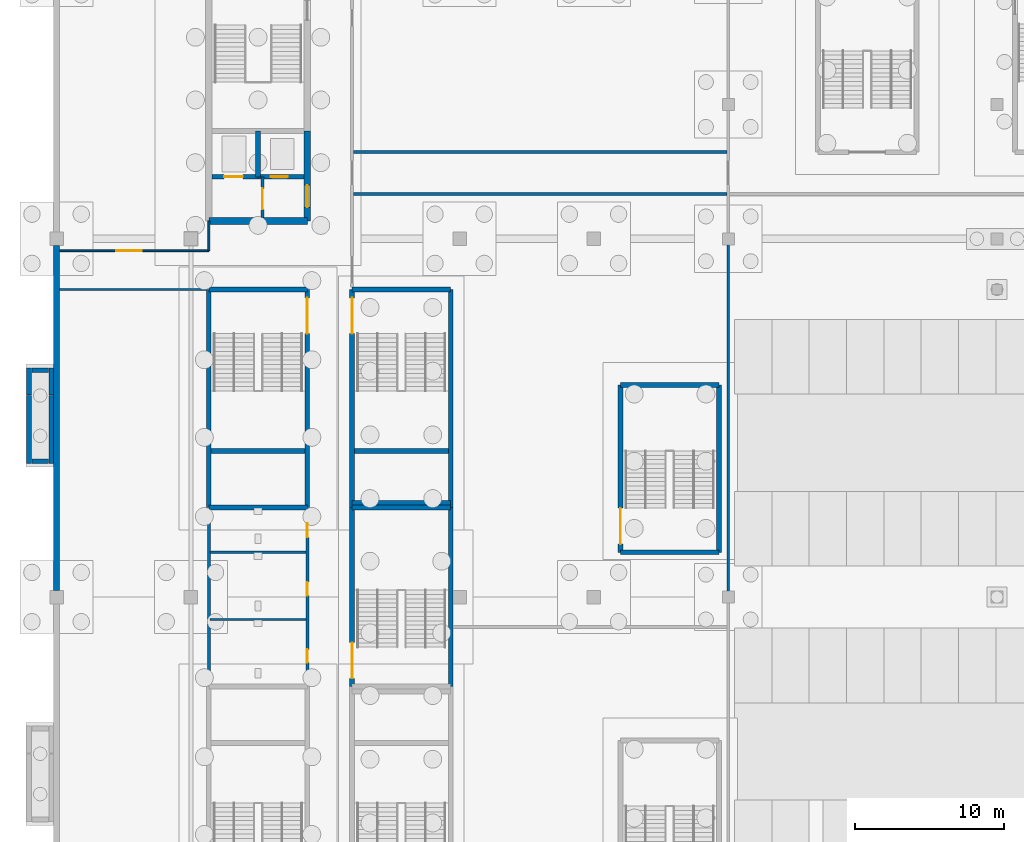
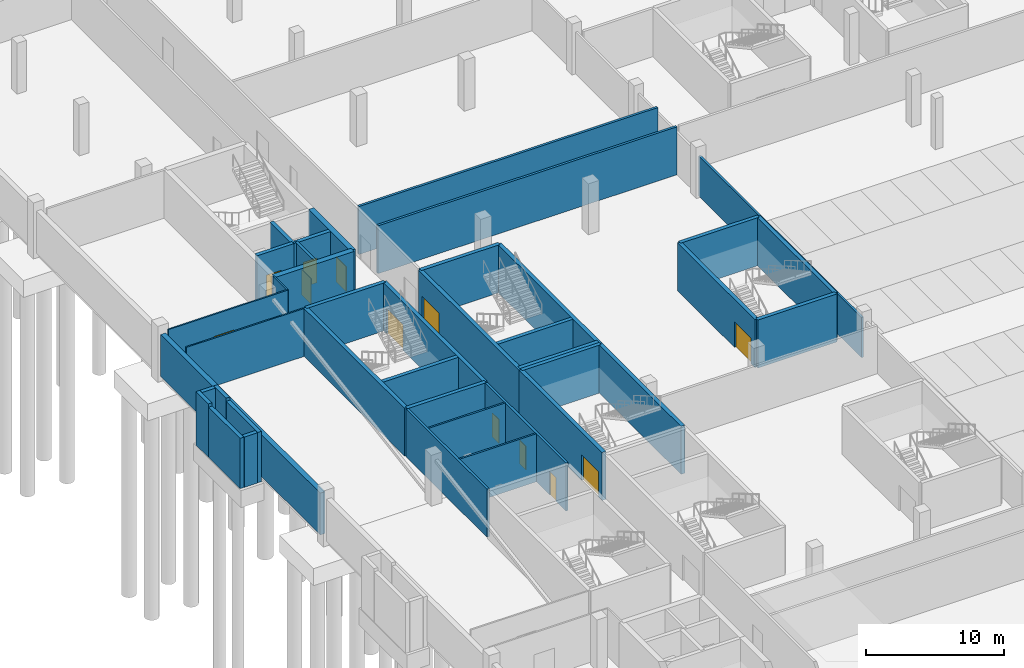
# One storey, part 17 of 46: 40 walls, 12 doors, 12 openings.
"""IFC4 building model written with IfcOpenShell, lengths in metres."""

import ifcopenshell
import ifcopenshell.guid

model = None  # the IFC model being written
_history = None  # IfcOwnerHistory: only IFC2X3 demands one
_inside = {}  # id of a spatial element -> (the spatial element, [elements in it])
_under = {}  # id of a project, library or spatial element -> (it, [spatial elements below it])
_declared = {}  # id of a project -> (the project, [libraries it declares])
_typed = {}  # id of a type object -> (the type object, [elements of that type])
_made_of = {}  # id of a material, layer set ... -> (it, [elements and type objects made of it])


def new_model(schema):
    """Start an empty IFC model of exactly this schema.

    Asked for "IFC4X3", IfcOpenShell would pick the latest addendum, in which some entities
    have other attributes; the version numbers below select the first issue.
    IFC2X3 requires an IfcOwnerHistory on every rooted entity: one is made here for all.
    """
    global model, _history
    if schema == "IFC4X3":
        model = ifcopenshell.file(schema_version=(4, 3, 0, 0))
    else:
        model = ifcopenshell.file(schema=schema)
    _inside.clear()
    _under.clear()
    _declared.clear()
    _typed.clear()
    _made_of.clear()
    _history = None
    if model.schema == "IFC2X3":
        org = make("IfcOrganization", Name="unknown")
        user = make(
            "IfcPersonAndOrganization",
            ThePerson=make("IfcPerson", FamilyName="unknown"),
            TheOrganization=org,
        )
        app = make(
            "IfcApplication",
            ApplicationDeveloper=org,
            Version="unknown",
            ApplicationFullName="unknown",
            ApplicationIdentifier="unknown",
        )
        _history = make(
            "IfcOwnerHistory",
            OwningUser=user,
            OwningApplication=app,
            ChangeAction="ADDED",
            CreationDate=0,
        )
    return model


def make(cls, **values):
    """One entity of the class cls with the attributes given. An attribute that is None is left unset."""
    return model.create_entity(
        cls, **{name: value for name, value in values.items() if value is not None}
    )


def rooted(cls, **values):
    """An entity with a GlobalId (a new one), such as an element, a storey or a relation."""
    return make(cls, GlobalId=ifcopenshell.guid.new(), OwnerHistory=_history, **values)


def si_unit(unit_type, name, prefix=None):
    """IfcSIUnit, for example si_unit("LENGTHUNIT", "METRE", prefix="MILLI")."""
    return make("IfcSIUnit", UnitType=unit_type, Prefix=prefix, Name=name)


def assignment(units):
    """IfcUnitAssignment: the units of a project."""
    return None if units is None else make("IfcUnitAssignment", Units=units)


def point(xyz):
    """IfcCartesianPoint."""
    return None if xyz is None else make("IfcCartesianPoint", Coordinates=xyz)


def direction(xyz):
    """IfcDirection."""
    return None if xyz is None else make("IfcDirection", DirectionRatios=xyz)


def frame(location, z_axis=None, x_axis=None):
    """IfcAxis2Placement3D, a coordinate frame: its origin and axes. An axis left out is left unset."""
    return make(
        "IfcAxis2Placement3D",
        Location=point(location),
        Axis=direction(z_axis),
        RefDirection=direction(x_axis),
    )


def frame_2d(location, x_axis=None):
    """IfcAxis2Placement2D, a coordinate frame in the plane: its origin and x axis."""
    return make(
        "IfcAxis2Placement2D", Location=point(location), RefDirection=direction(x_axis)
    )


def origin():
    """The frame at (0, 0, 0) with its axes left unset."""
    return frame((0.0, 0.0, 0.0))


def place(relative_to, where):
    """IfcLocalPlacement: puts the frame where relative to a parent placement (None: the world)."""
    return make(
        "IfcLocalPlacement", PlacementRelTo=relative_to, RelativePlacement=where
    )


def context(
    kind, dimensions, precision=None, world=None, true_north=None, identifier=None
):
    """IfcGeometricRepresentationContext, for example the 3D "Model" context."""
    return make(
        "IfcGeometricRepresentationContext",
        ContextIdentifier=identifier,
        ContextType=kind,
        CoordinateSpaceDimension=dimensions,
        Precision=precision,
        WorldCoordinateSystem=world,
        TrueNorth=true_north,
    )


def subcontext(parent, identifier, kind, view, scale=None):
    """IfcGeometricRepresentationSubContext, for example "Body" below "Model"."""
    return make(
        "IfcGeometricRepresentationSubContext",
        ContextIdentifier=identifier,
        ContextType=kind,
        ParentContext=parent,
        TargetScale=scale,
        TargetView=view,
    )


def project(units=None, contexts=None):
    """IfcProject with its units and contexts."""
    return rooted(
        "IfcProject",
        Name="project",
        RepresentationContexts=contexts,
        UnitsInContext=assignment(units),
    )


def spatial(cls, under=None, at=None, **own):
    """A site, building, storey or space (cls), placed at a placement, below another one or the project."""
    s = rooted(cls, ObjectPlacement=at, **own)
    if under is not None:
        _under.setdefault(under.id(), (under, []))[1].append(s)
    return s


def profile(cls, at=None, kind="AREA", **sizes):
    """A parametric profile (cls). Its sizes go by their IFC names, for example OverallWidth=200.0."""
    return make(cls, ProfileType=kind, Position=at, **sizes)


def rectangle(**sizes):
    """IfcRectangleProfileDef."""
    return profile("IfcRectangleProfileDef", **sizes)


def extrude(swept, where, along, depth):
    """IfcExtrudedAreaSolid: the profile swept, set in the frame where, extruded along a direction by depth."""
    return make(
        "IfcExtrudedAreaSolid",
        SweptArea=swept,
        Position=where,
        ExtrudedDirection=direction(along),
        Depth=depth,
    )


def shape(context_of_items, identifier, shape_type, items):
    """IfcShapeRepresentation: the items that make up one representation, for example the "Body"."""
    return make(
        "IfcShapeRepresentation",
        ContextOfItems=context_of_items,
        RepresentationIdentifier=identifier,
        RepresentationType=shape_type,
        Items=items,
    )


def material(Name=None, Category=None):
    """IfcMaterial."""
    return make("IfcMaterial", Name=Name, Category=Category)


def layer(
    of_material, thickness, ventilated=None, Name=None, Category=None, Priority=None
):
    """IfcMaterialLayer: one layer of a wall or slab, of a material (None: an air gap)."""
    return make(
        "IfcMaterialLayer",
        Material=of_material,
        LayerThickness=thickness,
        IsVentilated=ventilated,
        Name=Name,
        Category=Category,
        Priority=Priority,
    )


def layer_set(layers, Name=None):
    """IfcMaterialLayerSet."""
    return make("IfcMaterialLayerSet", MaterialLayers=layers, LayerSetName=Name)


def made_of(thing, what):
    """Note that an element or type object is made of a material, layer set ...; save() writes the relation."""
    if what is not None:
        _made_of.setdefault(what.id(), (what, []))[1].append(thing)
    return thing


def type_object(cls, material=None, **own):
    """A type object (cls), such as IfcWallType, which elements share."""
    return made_of(rooted(cls, **own), material)


def element(
    cls,
    number,
    at=None,
    inside=None,
    cuts=None,
    type_object=None,
    material=None,
    context=None,
    identifier="Body",
    shape_type=None,
    held_by="IfcProductDefinitionShape",
    body=None,
    shapes=None,
    **own,
):
    """One element of the class cls, such as IfcWall. Its Tag is "e" and its number.

    at: its placement. inside: the storey or other place that contains it. cuts: it is an
    opening in that element (IfcRelVoidsElement). A single representation is given by context,
    identifier, shape_type and body (its items); several are given by shapes. held_by: the class
    of the entity that holds the representations. save() writes the other relations.
    """
    e = rooted(cls, Tag="e%d" % number, ObjectPlacement=at, **own)
    if body is not None:
        shapes = [shape(context, identifier, shape_type, body)]
    if shapes is not None:
        e.Representation = make(held_by, Representations=shapes)
    if inside is not None:
        _inside.setdefault(inside.id(), (inside, []))[1].append(e)
    if cuts is not None:
        rooted(
            "IfcRelVoidsElement", RelatingBuildingElement=cuts, RelatedOpeningElement=e
        )
    if type_object is not None:
        _typed.setdefault(type_object.id(), (type_object, []))[1].append(e)
    return made_of(e, material)


def fill(opening, filler):
    """IfcRelFillsElement: the door or window that sits in an opening."""
    return rooted(
        "IfcRelFillsElement",
        RelatingOpeningElement=opening,
        RelatedBuildingElement=filler,
    )


def aggregate(whole, parts):
    """IfcRelAggregates: a whole, such as a stair, and the parts it consists of."""
    return rooted("IfcRelAggregates", RelatingObject=whole, RelatedObjects=parts)


def save(model, path):
    """Write the relations noted so far, then the file.

    IfcRelAggregates (storeys below a building ...), IfcRelContainedInSpatialStructure (elements
    in a storey), IfcRelDefinesByType, IfcRelAssociatesMaterial and IfcRelDeclares: one each for
    every whole, place, type object, material and project.
    """
    for whole, parts in _under.values():
        aggregate(whole, parts)
    for where, things in _inside.values():
        rooted(
            "IfcRelContainedInSpatialStructure",
            RelatedElements=things,
            RelatingStructure=where,
        )
    for kind, things in _typed.values():
        rooted("IfcRelDefinesByType", RelatedObjects=things, RelatingType=kind)
    for what, things in _made_of.values():
        rooted("IfcRelAssociatesMaterial", RelatedObjects=things, RelatingMaterial=what)
    for by, libraries in _declared.values():
        rooted("IfcRelDeclares", RelatingContext=by, RelatedDefinitions=libraries)
    model.write(path)


model = new_model("IFC4")

# Units and contexts
model_context = context("Model", 3, precision=1e-05, world=origin(), true_north=direction((0.0, 1.0)))
body_context = subcontext(model_context, "Body", "Model", "MODEL_VIEW")
ifc_project = project(units=[si_unit("LENGTHUNIT", "METRE"), si_unit("AREAUNIT", "SQUARE_METRE"), si_unit("VOLUMEUNIT", "CUBIC_METRE"), si_unit("PLANEANGLEUNIT", "RADIAN"), si_unit("MASSUNIT", "GRAM", prefix="KILO")], contexts=[model_context])

# Site, building, storey
site_placement = place(None, origin())
site = spatial("IfcSite", under=ifc_project, at=site_placement, CompositionType="ELEMENT")
building_placement = place(site_placement, origin())
building = spatial("IfcBuilding", under=site, at=building_placement, Name="Kisiwana Market Hall", CompositionType="ELEMENT")
storey_placement = place(building_placement, frame((0.0, 0.0, -4.5)))
storey = spatial("IfcBuildingStorey", under=building, at=storey_placement, Name="B1", CompositionType="ELEMENT", Elevation=-4.5)

# Wall
ifc_material_1 = material(Name="Concrete C40/50", Category="concrete")
ifc_layer_1 = layer(ifc_material_1, 0.360107421875, Name="Waterproofed RC retaining wall")
ifc_material_2 = material(Name="Mineral wool insulation")
ifc_layer_2 = layer(ifc_material_2, 0.06005859375, Name="XPS drainage protection board")
ifc_layer_set_1 = layer_set([ifc_layer_1, ifc_layer_2], Name="WL-B1-RET-420")
wall_type_1 = type_object("IfcWallType", Name="WL-B1-RET-420", PredefinedType="STANDARD", material=ifc_layer_set_1)
wall_1_placement = place(storey_placement, frame((0.0, 60.44189453125, 0.0), z_axis=(0.0, 0.0, 1.0), x_axis=(0.0, 1.0, 0.0)))
element("IfcWall", 1, at=wall_1_placement, inside=storey, type_object=wall_type_1, Name="Exterior wall W-0187", PredefinedType="STANDARD", context=body_context, shape_type="SweptSolid", body=[
    extrude(rectangle(XDim=23.1162109375, YDim=0.419921875, at=frame_2d((11.55810546875, 0.0))), origin(), (0.0, 0.0, 1.0), 3.699951171875),
])

# Wall, opening, door
ifc_material_3 = material(Name="Masonry blockwork", Category="masonry")
ifc_layer_3 = layer(ifc_material_3, 0.199951171875, Name="Plastered fire compartment block wall")
ifc_layer_set_2 = layer_set([ifc_layer_3], Name="WL-COMP-200")
wall_type_2 = type_object("IfcWallType", Name="WL-COMP-200", PredefinedType="PARTITIONING", material=ifc_layer_set_2)
wall_2_placement = place(storey_placement, frame((13.800048828125, 85.425048828125, 0.0), z_axis=(0.0, 0.0, 1.0), x_axis=(0.0, 1.0, 0.0)))
wall_2 = element("IfcWall", 2, at=wall_2_placement, inside=storey, type_object=wall_type_2, Name="Core W1 firefighting lobby wall W-0202", PredefinedType="PARTITIONING", context=body_context, shape_type="SweptSolid", body=[
    extrude(rectangle(XDim=2.72998046875, YDim=0.199951171875, at=frame_2d((1.364990234375, 0.0))), origin(), (0.0, 0.0, 1.0), 4.239990234375),
])
opening_1_placement = place(wall_2_placement, frame((0.550048828125, 0.0, 0.0)))
opening_1 = element("IfcOpeningElement", 3, at=opening_1_placement, cuts=wall_2, Name="Opening DR-B1-006", PredefinedType="OPENING", context=body_context, shape_type="SweptSolid", body=[
    extrude(rectangle(XDim=1.39990234375, YDim=2.25, at=frame_2d((0.699951171875, 1.125))), frame((0.0, 0.11181640625, 0.0), z_axis=(0.0, -1.0, 0.0), x_axis=(1.0, 0.0, 0.0)), (0.0, 0.0, 1.0), 0.223876953125),
])
ifc_material_4 = material(Name="Steel S275", Category="steel")
door_type_1 = type_object("IfcDoorType", Name="DR-FFLOB-FD120-1400", OperationType="DOUBLE_DOOR_SINGLE_SWING", PredefinedType="DOOR", material=ifc_material_4)
door_1_placement = place(opening_1_placement, frame((1.39990234375, 0.0, 0.0), z_axis=(0.0, 0.0, 1.0), x_axis=(-1.0, 0.0, 0.0)))
door_1 = element("IfcDoor", 4, at=door_1_placement, inside=storey, type_object=door_type_1, Name="Firefighting Lift Lobby W1 Door (B1)", OperationType="DOUBLE_DOOR_SINGLE_SWING", OverallHeight=2.25, OverallWidth=1.39990234375, PredefinedType="DOOR", context=body_context, shape_type="SweptSolid", body=[
    extrude(rectangle(XDim=1.39990234375, YDim=2.25, at=frame_2d((0.699951171875, 1.125))), frame((0.0, 0.02490234375, 0.0), z_axis=(0.0, -1.0, 0.0), x_axis=(1.0, 0.0, 0.0)), (0.0, 0.0, 1.0), 0.050048828125),
])
fill(opening_1, door_1)

# Wall
wall_3_placement = place(storey_placement, frame((10.199951171875, 54.159912109375, 0.0), z_axis=(0.0, 0.0, 1.0), x_axis=(0.0, 1.0, 0.0)))
element("IfcWall", 5, at=wall_3_placement, inside=storey, type_object=wall_type_2, Name="Interior partition W-0205", PredefinedType="PARTITIONING", context=body_context, shape_type="SweptSolid", body=[
    extrude(rectangle(XDim=11.68017578125, YDim=0.199951171875, at=frame_2d((5.840087890625, 0.0))), origin(), (0.0, 0.0, 1.0), 4.239990234375),
])

# Wall, openings, doors
wall_4_placement = place(storey_placement, frame((16.800048828125, 54.159912109375, 0.0), z_axis=(0.0, 0.0, 1.0), x_axis=(0.0, 1.0, 0.0)))
wall_4 = element("IfcWall", 6, at=wall_4_placement, inside=storey, type_object=wall_type_2, Name="Interior partition W-0206", PredefinedType="PARTITIONING", context=body_context, shape_type="SweptSolid", body=[
    extrude(rectangle(XDim=11.68017578125, YDim=0.199951171875, at=frame_2d((5.840087890625, 0.0))), origin(), (0.0, 0.0, 1.0), 4.239990234375),
])
opening_2_placement = place(wall_4_placement, frame((1.43994140625, 0.0, 0.0)))
opening_2 = element("IfcOpeningElement", 7, at=opening_2_placement, cuts=wall_4, Name="Opening DR-B1-041", PredefinedType="OPENING", context=body_context, shape_type="SweptSolid", body=[
    extrude(rectangle(XDim=0.89990234375, YDim=2.10009765625, at=frame_2d((0.449951171875, 1.050048828125))), frame((0.0, 0.11181640625, 0.0), z_axis=(0.0, -1.0, 0.0), x_axis=(1.0, 0.0, 0.0)), (0.0, 0.0, 1.0), 0.223876953125),
])
opening_3_placement = place(wall_4_placement, frame((5.93994140625, 0.0, 0.0)))
opening_3 = element("IfcOpeningElement", 8, at=opening_3_placement, cuts=wall_4, Name="Opening DR-B1-042", PredefinedType="OPENING", context=body_context, shape_type="SweptSolid", body=[
    extrude(rectangle(XDim=0.89990234375, YDim=2.10009765625, at=frame_2d((0.449951171875, 1.050048828125))), frame((0.0, 0.11181640625, 0.0), z_axis=(0.0, -1.0, 0.0), x_axis=(1.0, 0.0, 0.0)), (0.0, 0.0, 1.0), 0.223876953125),
])
opening_4_placement = place(wall_4_placement, frame((9.840087890625, 0.0, 0.0)))
opening_4 = element("IfcOpeningElement", 9, at=opening_4_placement, cuts=wall_4, Name="Opening DR-B1-043", PredefinedType="OPENING", context=body_context, shape_type="SweptSolid", body=[
    extrude(rectangle(XDim=0.949951171875, YDim=2.10009765625, at=frame_2d((0.47509765625, 1.050048828125))), frame((0.0, 0.11181640625, 0.0), z_axis=(0.0, -1.0, 0.0), x_axis=(1.0, 0.0, 0.0)), (0.0, 0.0, 1.0), 0.223876953125),
])
ifc_material_5 = material(Name="Aluminium alloy 6063-T6", Category="aluminium")
door_type_2 = type_object("IfcDoorType", Name="DR-WC-ACC-950", OperationType="NOTDEFINED", PredefinedType="DOOR", material=ifc_material_5)
door_2_placement = place(opening_4_placement, origin())
door_2 = element("IfcDoor", 10, at=door_2_placement, inside=storey, type_object=door_type_2, Name="B1 W Accessible WC Door", OperationType="SINGLE_SWING_RIGHT", OverallHeight=2.10009765625, OverallWidth=0.949951171875, PredefinedType="DOOR", context=body_context, shape_type="SweptSolid", body=[
    extrude(rectangle(XDim=0.949951171875, YDim=2.10009765625, at=frame_2d((0.47509765625, 1.050048828125))), frame((0.0, 0.02490234375, 0.0), z_axis=(0.0, -1.0, 0.0), x_axis=(1.0, 0.0, 0.0)), (0.0, 0.0, 1.0), 0.050048828125),
])
fill(opening_4, door_2)
ifc_material_6 = material(Name="Aluminium alloy 6063-T6", Category="aluminium")
door_type_3 = type_object("IfcDoorType", Name="DR-WC-STD-900", OperationType="NOTDEFINED", PredefinedType="DOOR", material=ifc_material_6)
door_3_placement = place(opening_2_placement, origin())
door_3 = element("IfcDoor", 11, at=door_3_placement, inside=storey, type_object=door_type_3, Name="B1 W Male Toilet Door", OperationType="SINGLE_SWING_LEFT", OverallHeight=2.10009765625, OverallWidth=0.89990234375, PredefinedType="DOOR", context=body_context, shape_type="SweptSolid", body=[
    extrude(rectangle(XDim=0.89990234375, YDim=2.10009765625, at=frame_2d((0.449951171875, 1.050048828125))), frame((0.0, 0.02490234375, 0.0), z_axis=(0.0, -1.0, 0.0), x_axis=(1.0, 0.0, 0.0)), (0.0, 0.0, 1.0), 0.050048828125),
])
fill(opening_2, door_3)
door_4_placement = place(opening_3_placement, origin())
door_4 = element("IfcDoor", 12, at=door_4_placement, inside=storey, type_object=door_type_3, Name="B1 W Female Toilet Door", OperationType="SINGLE_SWING_RIGHT", OverallHeight=2.10009765625, OverallWidth=0.89990234375, PredefinedType="DOOR", context=body_context, shape_type="SweptSolid", body=[
    extrude(rectangle(XDim=0.89990234375, YDim=2.10009765625, at=frame_2d((0.449951171875, 1.050048828125))), frame((0.0, 0.02490234375, 0.0), z_axis=(0.0, -1.0, 0.0), x_axis=(1.0, 0.0, 0.0)), (0.0, 0.0, 1.0), 0.050048828125),
])
fill(opening_3, door_4)

# Walls
for number, where, z_axis, x_axis, name in (
    (13, (19.89990234375, 87.0, 0.0), (0.0, 0.0, 1.0), (1.0, 0.0, 0.0), "Interior partition W-0223"),
    (14, (19.89990234375, 89.800048828125, 0.0), (0.0, 0.0, 1.0), (1.0, 0.0, 0.0), "Interior partition W-0224"),
):
    element("IfcWall", number, at=place(storey_placement, frame(where, z_axis=z_axis, x_axis=x_axis)), inside=storey, type_object=wall_type_2, Name=name, PredefinedType="PARTITIONING", context=body_context, shape_type="SweptSolid", body=[
        extrude(rectangle(XDim=25.01513671875, YDim=0.199951171875, at=frame_2d((12.507568359375, 0.0))), origin(), (0.0, 0.0, 1.0), 4.239990234375),
    ])
ifc_material_7 = material(Name="Concrete C40/50", Category="concrete")
ifc_layer_4 = layer(ifc_material_7, 0.320068359375, Name="Reinforced concrete shaft wall")
ifc_layer_set_3 = layer_set([ifc_layer_4], Name="WL-CORE-320")
wall_type_3 = type_object("IfcWallType", Name="WL-CORE-320", PredefinedType="SHEAR", material=ifc_layer_set_3)
for number, where, z_axis, x_axis, name in (
    (15, (-1.840087890625, 68.949951171875, -0.449951171875), (0.0, 0.0, 1.0), (0.0, 1.0, 0.0), "Ramp support plinth wall 03-L W-0308"),
    (16, (-0.360107421875, 68.949951171875, -0.449951171875), (0.0, 0.0, 1.0), (0.0, 1.0, 0.0), "Ramp support plinth wall 03-R W-0310"),
):
    element("IfcWall", number, at=place(storey_placement, frame(where, z_axis=z_axis, x_axis=x_axis)), inside=storey, type_object=wall_type_3, Name=name, PredefinedType="SHEAR", context=body_context, shape_type="SweptSolid", body=[
        extrude(rectangle(XDim=4.550048828125, YDim=0.320068359375, at=frame_2d((2.27490234375, 0.0))), origin(), (0.0, 0.0, 1.0), 4.449951171875),
    ])
for number, where, z_axis, x_axis, name in (
    (17, (-1.840087890625, 73.550048828125, -0.449951171875), (0.0, 0.0, 1.0), (0.0, 1.0, 0.0), "Ramp support plinth wall 03-UL W-0312"),
    (18, (-0.360107421875, 73.550048828125, -0.449951171875), (0.0, 0.0, 1.0), (0.0, 1.0, 0.0), "Ramp support plinth wall 03-UR W-0313"),
):
    element("IfcWall", number, at=place(storey_placement, frame(where, z_axis=z_axis, x_axis=x_axis)), inside=storey, type_object=wall_type_3, Name=name, PredefinedType="SHEAR", context=body_context, shape_type="SweptSolid", body=[
        extrude(rectangle(XDim=1.800048828125, YDim=0.320068359375, at=frame_2d((0.89990234375, 0.0))), origin(), (0.0, 0.0, 1.0), 4.699951171875),
    ])
wall_5_placement = place(storey_placement, frame((-1.64990234375, 75.199951171875, -0.449951171875), z_axis=(0.0, 0.0, 1.0), x_axis=(1.0, 0.0, 0.0)))
element("IfcWall", 19, at=wall_5_placement, inside=storey, type_object=wall_type_3, Name="Ramp support plinth wall 03-UC W-0311", PredefinedType="SHEAR", context=body_context, shape_type="SweptSolid", body=[
    extrude(rectangle(XDim=1.099853515625, YDim=0.320068359375, at=frame_2d((0.5498046875, 0.0))), origin(), (0.0, 0.0, 1.0), 4.699951171875),
])
wall_6_placement = place(storey_placement, frame((-1.64990234375, 69.10009765625, -0.449951171875), z_axis=(0.0, 0.0, 1.0), x_axis=(1.0, 0.0, 0.0)))
element("IfcWall", 20, at=wall_6_placement, inside=storey, type_object=wall_type_3, Name="Ramp support plinth wall 03-LC W-0309", PredefinedType="SHEAR", context=body_context, shape_type="SweptSolid", body=[
    extrude(rectangle(XDim=1.099853515625, YDim=0.320068359375, at=frame_2d((0.5498046875, 0.0))), origin(), (0.0, 0.0, 1.0), 4.449951171875),
])
wall_7_placement = place(storey_placement, frame((13.5, 88.155029296875, 0.0), z_axis=(0.0, 0.0, 1.0), x_axis=(0.0, 1.0, 0.0)))
element("IfcWall", 21, at=wall_7_placement, inside=storey, type_object=wall_type_3, Name="Core W1 inter-shaft shear wall W-0016", PredefinedType="SHEAR", context=body_context, shape_type="SweptSolid", body=[
    extrude(rectangle(XDim=3.06005859375, YDim=0.320068359375, at=frame_2d((1.530029296875, 0.0))), origin(), (0.0, 0.0, 1.0), 4.239990234375),
])

# Wall, opening, door
wall_8_placement = place(storey_placement, frame((10.425048828125, 88.155029296875, 0.0), z_axis=(0.0, 0.0, 1.0), x_axis=(1.0, 0.0, 0.0)))
wall_8 = element("IfcWall", 22, at=wall_8_placement, inside=storey, type_object=wall_type_3, Name="Core W1 west lift front wall W-0017", PredefinedType="SHEAR", context=body_context, shape_type="SweptSolid", body=[
    extrude(rectangle(XDim=3.074951171875, YDim=0.320068359375, at=frame_2d((1.53759765625, 0.0))), origin(), (0.0, 0.0, 1.0), 4.239990234375),
])
opening_5_placement = place(wall_8_placement, frame((0.800048828125, 0.0, 0.0)))
opening_5 = element("IfcOpeningElement", 23, at=opening_5_placement, cuts=wall_8, Name="Opening LD-B1-003", PredefinedType="OPENING", context=body_context, shape_type="SweptSolid", body=[
    extrude(rectangle(XDim=1.25, YDim=2.25, at=frame_2d((0.625, 1.125))), frame((0.0, 0.171875, 0.0), z_axis=(0.0, -1.0, 0.0), x_axis=(1.0, 0.0, 0.0)), (0.0, 0.0, 1.0), 0.343994140625),
])
ifc_material_8 = material(Name="Steel S275", Category="steel")
door_type_4 = type_object("IfcDoorType", Name="DR-LIFT-FFL-1250", OperationType="DOUBLE_DOOR_SLIDING", PredefinedType="DOOR", material=ifc_material_8)
door_5_placement = place(opening_5_placement, origin())
door_5 = element("IfcDoor", 24, at=door_5_placement, inside=storey, type_object=door_type_4, Name="Lift Landing Door FFL-02 (B1)", OperationType="DOUBLE_DOOR_SLIDING", OverallHeight=2.25, OverallWidth=1.25, PredefinedType="DOOR", context=body_context, shape_type="SweptSolid", body=[
    extrude(rectangle(XDim=1.25, YDim=2.25, at=frame_2d((0.625, 1.125))), frame((0.0, 0.02490234375, 0.0), z_axis=(0.0, -1.0, 0.0), x_axis=(1.0, 0.0, 0.0)), (0.0, 0.0, 1.0), 0.050048828125),
])
fill(opening_5, door_5)

wall_9_placement = place(storey_placement, frame((13.5, 88.155029296875, 0.0), z_axis=(0.0, 0.0, 1.0), x_axis=(1.0, 0.0, 0.0)))
wall_9 = element("IfcWall", 25, at=wall_9_placement, inside=storey, type_object=wall_type_3, Name="Core W1 east lift front wall W-0018", PredefinedType="SHEAR", context=body_context, shape_type="SweptSolid", body=[
    extrude(rectangle(XDim=3.074951171875, YDim=0.320068359375, at=frame_2d((1.53759765625, 0.0))), origin(), (0.0, 0.0, 1.0), 4.239990234375),
])
opening_6_placement = place(wall_9_placement, frame((0.85009765625, 0.0, 0.0)))
opening_6 = element("IfcOpeningElement", 26, at=opening_6_placement, cuts=wall_9, Name="Opening LD-B1-004", PredefinedType="OPENING", context=body_context, shape_type="SweptSolid", body=[
    extrude(rectangle(XDim=1.14990234375, YDim=2.199951171875, at=frame_2d((0.574951171875, 1.10009765625))), frame((0.0, 0.171875, 0.0), z_axis=(0.0, -1.0, 0.0), x_axis=(1.0, 0.0, 0.0)), (0.0, 0.0, 1.0), 0.343994140625),
])
ifc_material_9 = material(Name="Steel S275", Category="steel")
door_type_5 = type_object("IfcDoorType", Name="DR-LIFT-PAX-1150", OperationType="DOUBLE_DOOR_SLIDING", PredefinedType="DOOR", material=ifc_material_9)
door_6_placement = place(opening_6_placement, origin())
door_6 = element("IfcDoor", 27, at=door_6_placement, inside=storey, type_object=door_type_5, Name="Lift Landing Door LP-02 (B1)", OperationType="DOUBLE_DOOR_SLIDING", OverallHeight=2.199951171875, OverallWidth=1.14990234375, PredefinedType="DOOR", context=body_context, shape_type="SweptSolid", body=[
    extrude(rectangle(XDim=1.14990234375, YDim=2.199951171875, at=frame_2d((0.574951171875, 1.10009765625))), frame((0.0, 0.02490234375, 0.0), z_axis=(0.0, -1.0, 0.0), x_axis=(1.0, 0.0, 0.0)), (0.0, 0.0, 1.0), 0.050048828125),
])
fill(opening_6, door_6)

# Walls
for number, where, z_axis, x_axis, name in (
    (28, (10.199951171875, 66.0, 0.0), (0.0, 0.0, 1.0), (1.0, 0.0, 0.0), "Core W4 south shear wall W-0064"),
    (29, (10.199951171875, 80.60009765625, 0.0), (0.0, 0.0, 1.0), (1.0, 0.0, 0.0), "Core W4 north shear wall W-0065"),
):
    element("IfcWall", number, at=place(storey_placement, frame(where, z_axis=z_axis, x_axis=x_axis)), inside=storey, type_object=wall_type_3, Name=name, PredefinedType="SHEAR", context=body_context, shape_type="SweptSolid", body=[
        extrude(rectangle(XDim=6.60009765625, YDim=0.320068359375, at=frame_2d((3.300048828125, 0.0))), origin(), (0.0, 0.0, 1.0), 4.239990234375),
    ])
wall_10_placement = place(storey_placement, frame((10.199951171875, 66.0, 0.0), z_axis=(0.0, 0.0, 1.0), x_axis=(0.0, 1.0, 0.0)))
element("IfcWall", 30, at=wall_10_placement, inside=storey, type_object=wall_type_3, Name="Core W4 outer shear wall W-0066", PredefinedType="SHEAR", context=body_context, shape_type="SweptSolid", body=[
    extrude(rectangle(XDim=14.60009765625, YDim=0.320068359375, at=frame_2d((7.300048828125, 0.0))), origin(), (0.0, 0.0, 1.0), 4.239990234375),
])

# Wall, opening, door
wall_11_placement = place(storey_placement, frame((16.800048828125, 66.0, 0.0), z_axis=(0.0, 0.0, 1.0), x_axis=(0.0, 1.0, 0.0)))
wall_11 = element("IfcWall", 31, at=wall_11_placement, inside=storey, type_object=wall_type_3, Name="Core W4 corridor shear wall W-0067", PredefinedType="SHEAR", context=body_context, shape_type="SweptSolid", body=[
    extrude(rectangle(XDim=14.60009765625, YDim=0.320068359375, at=frame_2d((7.300048828125, 0.0))), origin(), (0.0, 0.0, 1.0), 4.239990234375),
])
opening_7_placement = place(wall_11_placement, frame((11.64990234375, 0.0, 0.0)))
opening_7 = element("IfcOpeningElement", 32, at=opening_7_placement, cuts=wall_11, Name="Opening DR-B1-020", PredefinedType="OPENING", context=body_context, shape_type="SweptSolid", body=[
    extrude(rectangle(XDim=2.39990234375, YDim=2.25, at=frame_2d((1.199951171875, 1.125))), frame((0.0, 0.171875, 0.0), z_axis=(0.0, -1.0, 0.0), x_axis=(1.0, 0.0, 0.0)), (0.0, 0.0, 1.0), 0.343994140625),
])
ifc_material_10 = material(Name="Steel S275", Category="steel")
door_type_6 = type_object("IfcDoorType", Name="DR-STAIR-FD120-2400", OperationType="DOUBLE_DOOR_SINGLE_SWING", PredefinedType="DOOR", material=ifc_material_10)
door_7_placement = place(opening_7_placement, origin())
door_7 = element("IfcDoor", 33, at=door_7_placement, inside=storey, type_object=door_type_6, Name="Escape Stair W4 Fire Door (B1)", OperationType="DOUBLE_DOOR_SINGLE_SWING", OverallHeight=2.25, OverallWidth=2.39990234375, PredefinedType="DOOR", context=body_context, shape_type="SweptSolid", body=[
    extrude(rectangle(XDim=2.39990234375, YDim=2.25, at=frame_2d((1.199951171875, 1.125))), frame((0.0, 0.02490234375, 0.0), z_axis=(0.0, -1.0, 0.0), x_axis=(1.0, 0.0, 0.0)), (0.0, 0.0, 1.0), 0.050048828125),
])
fill(opening_7, door_7)

# Walls
wall_12_placement = place(storey_placement, frame((10.360107421875, 69.780029296875, 0.0), z_axis=(0.0, 0.0, 1.0), x_axis=(1.0, 0.0, 0.0)))
element("IfcWall", 34, at=wall_12_placement, inside=storey, type_object=wall_type_3, Name="Core W4 riser divider shear wall W-0068", PredefinedType="SHEAR", context=body_context, shape_type="SweptSolid", body=[
    extrude(rectangle(XDim=6.27978515625, YDim=0.320068359375, at=frame_2d((3.139892578125, 0.0))), origin(), (0.0, 0.0, 1.0), 4.239990234375),
])
for number, where, z_axis, x_axis, name in (
    (35, (19.800048828125, 66.0, 0.0), (0.0, 0.0, 1.0), (1.0, 0.0, 0.0), "Core W8 south shear wall W-0089"),
    (36, (19.800048828125, 80.60009765625, 0.0), (0.0, 0.0, 1.0), (1.0, 0.0, 0.0), "Core W8 north shear wall W-0090"),
):
    element("IfcWall", number, at=place(storey_placement, frame(where, z_axis=z_axis, x_axis=x_axis)), inside=storey, type_object=wall_type_3, Name=name, PredefinedType="SHEAR", context=body_context, shape_type="SweptSolid", body=[
        extrude(rectangle(XDim=6.599853515625, YDim=0.320068359375, at=frame_2d((3.2998046875, 0.0))), origin(), (0.0, 0.0, 1.0), 4.239990234375),
    ])

# Wall, opening, door
wall_13_placement = place(storey_placement, frame((19.800048828125, 66.0, 0.0), z_axis=(0.0, 0.0, 1.0), x_axis=(0.0, 1.0, 0.0)))
wall_13 = element("IfcWall", 37, at=wall_13_placement, inside=storey, type_object=wall_type_3, Name="Core W8 corridor shear wall W-0091", PredefinedType="SHEAR", context=body_context, shape_type="SweptSolid", body=[
    extrude(rectangle(XDim=14.60009765625, YDim=0.320068359375, at=frame_2d((7.300048828125, 0.0))), origin(), (0.0, 0.0, 1.0), 4.239990234375),
])
opening_8_placement = place(wall_13_placement, frame((11.64990234375, 0.0, 0.0)))
opening_8 = element("IfcOpeningElement", 38, at=opening_8_placement, cuts=wall_13, Name="Opening DR-B1-025", PredefinedType="OPENING", context=body_context, shape_type="SweptSolid", body=[
    extrude(rectangle(XDim=2.39990234375, YDim=2.25, at=frame_2d((1.199951171875, 1.125))), frame((0.0, 0.171875, 0.0), z_axis=(0.0, -1.0, 0.0), x_axis=(1.0, 0.0, 0.0)), (0.0, 0.0, 1.0), 0.343994140625),
])
door_8_placement = place(opening_8_placement, frame((2.39990234375, 0.0, 0.0), z_axis=(0.0, 0.0, 1.0), x_axis=(-1.0, 0.0, 0.0)))
door_8 = element("IfcDoor", 39, at=door_8_placement, inside=storey, type_object=door_type_6, Name="Escape Stair W8 Fire Door (B1)", OperationType="DOUBLE_DOOR_SINGLE_SWING", OverallHeight=2.25, OverallWidth=2.39990234375, PredefinedType="DOOR", context=body_context, shape_type="SweptSolid", body=[
    extrude(rectangle(XDim=2.39990234375, YDim=2.25, at=frame_2d((1.199951171875, 1.125))), frame((0.0, 0.02490234375, 0.0), z_axis=(0.0, -1.0, 0.0), x_axis=(1.0, 0.0, 0.0)), (0.0, 0.0, 1.0), 0.050048828125),
])
fill(opening_8, door_8)

# Walls
wall_14_placement = place(storey_placement, frame((26.39990234375, 66.0, 0.0), z_axis=(0.0, 0.0, 1.0), x_axis=(0.0, 1.0, 0.0)))
element("IfcWall", 40, at=wall_14_placement, inside=storey, type_object=wall_type_3, Name="Core W8 outer shear wall W-0092", PredefinedType="SHEAR", context=body_context, shape_type="SweptSolid", body=[
    extrude(rectangle(XDim=14.60009765625, YDim=0.320068359375, at=frame_2d((7.300048828125, 0.0))), origin(), (0.0, 0.0, 1.0), 4.239990234375),
])
wall_15_placement = place(storey_placement, frame((19.9599609375, 69.780029296875, 0.0), z_axis=(0.0, 0.0, 1.0), x_axis=(1.0, 0.0, 0.0)))
element("IfcWall", 41, at=wall_15_placement, inside=storey, type_object=wall_type_3, Name="Core W8 riser divider shear wall W-0093", PredefinedType="SHEAR", context=body_context, shape_type="SweptSolid", body=[
    extrude(rectangle(XDim=6.280029296875, YDim=0.320068359375, at=frame_2d((3.14013671875, 0.0))), origin(), (0.0, 0.0, 1.0), 4.239990234375),
])
for number, where, z_axis, x_axis, name in (
    (42, (37.77001953125, 63.0, 0.0), (0.0, 0.0, 1.0), (1.0, 0.0, 0.0), "Core W10 south shear wall W-0107"),
    (43, (37.77001953125, 74.199951171875, 0.0), (0.0, 0.0, 1.0), (1.0, 0.0, 0.0), "Core W10 north shear wall W-0108"),
):
    element("IfcWall", number, at=place(storey_placement, frame(where, z_axis=z_axis, x_axis=x_axis)), inside=storey, type_object=wall_type_3, Name=name, PredefinedType="SHEAR", context=body_context, shape_type="SweptSolid", body=[
        extrude(rectangle(XDim=6.60009765625, YDim=0.320068359375, at=frame_2d((3.300048828125, 0.0))), origin(), (0.0, 0.0, 1.0), 4.239990234375),
    ])

# Wall, opening, door
wall_16_placement = place(storey_placement, frame((37.77001953125, 63.0, 0.0), z_axis=(0.0, 0.0, 1.0), x_axis=(0.0, 1.0, 0.0)))
wall_16 = element("IfcWall", 44, at=wall_16_placement, inside=storey, type_object=wall_type_3, Name="Core W10 corridor shear wall W-0109", PredefinedType="SHEAR", context=body_context, shape_type="SweptSolid", body=[
    extrude(rectangle(XDim=11.199951171875, YDim=0.320068359375, at=frame_2d((5.60009765625, 0.0))), origin(), (0.0, 0.0, 1.0), 4.239990234375),
])
opening_9_placement = place(wall_16_placement, frame((0.550048828125, 0.0, 0.0)))
opening_9 = element("IfcOpeningElement", 45, at=opening_9_placement, cuts=wall_16, Name="Opening DR-B1-029", PredefinedType="OPENING", context=body_context, shape_type="SweptSolid", body=[
    extrude(rectangle(XDim=2.39990234375, YDim=2.25, at=frame_2d((1.199951171875, 1.125))), frame((0.0, 0.171875, 0.0), z_axis=(0.0, -1.0, 0.0), x_axis=(1.0, 0.0, 0.0)), (0.0, 0.0, 1.0), 0.343994140625),
])
door_9_placement = place(opening_9_placement, frame((2.39990234375, 0.0, 0.0), z_axis=(0.0, 0.0, 1.0), x_axis=(-1.0, 0.0, 0.0)))
door_9 = element("IfcDoor", 46, at=door_9_placement, inside=storey, type_object=door_type_6, Name="Escape Stair W10 Fire Door (B1)", OperationType="DOUBLE_DOOR_SINGLE_SWING", OverallHeight=2.25, OverallWidth=2.39990234375, PredefinedType="DOOR", context=body_context, shape_type="SweptSolid", body=[
    extrude(rectangle(XDim=2.39990234375, YDim=2.25, at=frame_2d((1.199951171875, 1.125))), frame((0.0, 0.02490234375, 0.0), z_axis=(0.0, -1.0, 0.0), x_axis=(1.0, 0.0, 0.0)), (0.0, 0.0, 1.0), 0.050048828125),
])
fill(opening_9, door_9)

# Walls
wall_17_placement = place(storey_placement, frame((44.3701171875, 63.0, 0.0), z_axis=(0.0, 0.0, 1.0), x_axis=(0.0, 1.0, 0.0)))
element("IfcWall", 47, at=wall_17_placement, inside=storey, type_object=wall_type_3, Name="Core W10 outer shear wall W-0110", PredefinedType="SHEAR", context=body_context, shape_type="SweptSolid", body=[
    extrude(rectangle(XDim=11.199951171875, YDim=0.320068359375, at=frame_2d((5.60009765625, 0.0))), origin(), (0.0, 0.0, 1.0), 4.239990234375),
])
wall_18_placement = place(storey_placement, frame((19.800048828125, 66.320068359375, 0.0), z_axis=(0.0, 0.0, 1.0), x_axis=(1.0, 0.0, 0.0)))
element("IfcWall", 48, at=wall_18_placement, inside=storey, type_object=wall_type_3, Name="Core W5 north shear wall W-0116", PredefinedType="SHEAR", context=body_context, shape_type="SweptSolid", body=[
    extrude(rectangle(XDim=6.599853515625, YDim=0.320068359375, at=frame_2d((3.2998046875, 0.0))), origin(), (0.0, 0.0, 1.0), 4.239990234375),
])

# Wall, opening, door
wall_19_placement = place(storey_placement, frame((19.800048828125, 54.0, 0.0), z_axis=(0.0, 0.0, 1.0), x_axis=(0.0, 1.0, 0.0)))
wall_19 = element("IfcWall", 49, at=wall_19_placement, inside=storey, type_object=wall_type_3, Name="Core W5 corridor shear wall W-0117", PredefinedType="SHEAR", context=body_context, shape_type="SweptSolid", body=[
    extrude(rectangle(XDim=12.0, YDim=0.320068359375, at=frame_2d((6.0, 0.0))), origin(), (0.0, 0.0, 1.0), 4.239990234375),
])
opening_10_placement = place(wall_19_placement, frame((0.550048828125, 0.0, 0.0)))
opening_10 = element("IfcOpeningElement", 50, at=opening_10_placement, cuts=wall_19, Name="Opening DR-B1-031", PredefinedType="OPENING", context=body_context, shape_type="SweptSolid", body=[
    extrude(rectangle(XDim=2.39990234375, YDim=2.25, at=frame_2d((1.199951171875, 1.125))), frame((0.0, 0.171875, 0.0), z_axis=(0.0, -1.0, 0.0), x_axis=(1.0, 0.0, 0.0)), (0.0, 0.0, 1.0), 0.343994140625),
])
door_10_placement = place(opening_10_placement, frame((2.39990234375, 0.0, 0.0), z_axis=(0.0, 0.0, 1.0), x_axis=(-1.0, 0.0, 0.0)))
door_10 = element("IfcDoor", 51, at=door_10_placement, inside=storey, type_object=door_type_6, Name="Escape Stair W5 Fire Door (B1)", OperationType="DOUBLE_DOOR_SINGLE_SWING", OverallHeight=2.25, OverallWidth=2.39990234375, PredefinedType="DOOR", context=body_context, shape_type="SweptSolid", body=[
    extrude(rectangle(XDim=2.39990234375, YDim=2.25, at=frame_2d((1.199951171875, 1.125))), frame((0.0, 0.02490234375, 0.0), z_axis=(0.0, -1.0, 0.0), x_axis=(1.0, 0.0, 0.0)), (0.0, 0.0, 1.0), 0.050048828125),
])
fill(opening_10, door_10)

# Walls
wall_20_placement = place(storey_placement, frame((26.39990234375, 54.0, 0.0), z_axis=(0.0, 0.0, 1.0), x_axis=(0.0, 1.0, 0.0)))
element("IfcWall", 52, at=wall_20_placement, inside=storey, type_object=wall_type_3, Name="Core W5 outer shear wall W-0118", PredefinedType="SHEAR", context=body_context, shape_type="SweptSolid", body=[
    extrude(rectangle(XDim=12.0, YDim=0.320068359375, at=frame_2d((6.0, 0.0))), origin(), (0.0, 0.0, 1.0), 4.239990234375),
])
ifc_material_11 = material(Name="Concrete C40/50", Category="concrete")
ifc_layer_5 = layer(ifc_material_11, 0.449951171875, Name="Reinforced concrete core wall")
ifc_layer_set_4 = layer_set([ifc_layer_5], Name="WL-CORE-450")
wall_type_4 = type_object("IfcWallType", Name="WL-CORE-450", PredefinedType="SHEAR", material=ifc_layer_set_4)
wall_21_placement = place(storey_placement, frame((10.199951171875, 85.199951171875, 0.0), z_axis=(0.0, 0.0, 1.0), x_axis=(1.0, 0.0, 0.0)))
element("IfcWall", 53, at=wall_21_placement, inside=storey, type_object=wall_type_4, Name="Core W1 south shear wall W-0010", PredefinedType="SHEAR", context=body_context, shape_type="SweptSolid", body=[
    extrude(rectangle(XDim=6.60009765625, YDim=0.449951171875, at=frame_2d((3.300048828125, 0.0))), origin(), (0.0, 0.0, 1.0), 4.239990234375),
])

# Wall, opening, door
wall_22_placement = place(storey_placement, frame((16.800048828125, 85.199951171875, 0.0), z_axis=(0.0, 0.0, 1.0), x_axis=(0.0, 1.0, 0.0)))
wall_22 = element("IfcWall", 54, at=wall_22_placement, inside=storey, type_object=wall_type_4, Name="Core W1 lobby corridor shear wall W-0013", PredefinedType="SHEAR", context=body_context, shape_type="SweptSolid", body=[
    extrude(rectangle(XDim=6.01513671875, YDim=0.449951171875, at=frame_2d((3.007568359375, 0.0))), origin(), (0.0, 0.0, 1.0), 4.239990234375),
])
opening_11_placement = place(wall_22_placement, frame((0.89990234375, 0.0, 0.0)))
opening_11 = element("IfcOpeningElement", 55, at=opening_11_placement, cuts=wall_22, Name="Opening DR-B1-004", PredefinedType="OPENING", context=body_context, shape_type="SweptSolid", body=[
    extrude(rectangle(XDim=1.5, YDim=2.199951171875, at=frame_2d((0.75, 1.10009765625))), frame((0.0, 0.23681640625, 0.0), z_axis=(0.0, -1.0, 0.0), x_axis=(1.0, 0.0, 0.0)), (0.0, 0.0, 1.0), 0.473876953125),
])
ifc_material_12 = material(Name="Steel S275", Category="steel")
door_type_7 = type_object("IfcDoorType", Name="DR-CORR-FD60-1500", OperationType="DOUBLE_DOOR_SINGLE_SWING", PredefinedType="DOOR", material=ifc_material_12)
door_11_placement = place(opening_11_placement, frame((1.5, 0.0, 0.0), z_axis=(0.0, 0.0, 1.0), x_axis=(-1.0, 0.0, 0.0)))
door_11 = element("IfcDoor", 56, at=door_11_placement, inside=storey, type_object=door_type_7, Name="Passenger Lift Lobby W1 Smoke Door (B1)", OperationType="DOUBLE_DOOR_SINGLE_SWING", OverallHeight=2.199951171875, OverallWidth=1.5, PredefinedType="DOOR", context=body_context, shape_type="SweptSolid", body=[
    extrude(rectangle(XDim=1.5, YDim=2.199951171875, at=frame_2d((0.75, 1.10009765625))), frame((0.0, 0.02490234375, 0.0), z_axis=(0.0, -1.0, 0.0), x_axis=(1.0, 0.0, 0.0)), (0.0, 0.0, 1.0), 0.050048828125),
])
fill(opening_11, door_11)

# Walls
ifc_material_13 = material(Name="Masonry blockwork", Category="masonry")
ifc_layer_6 = layer(ifc_material_13, 0.169921875, Name="Protected corridor partition")
ifc_layer_set_5 = layer_set([ifc_layer_6], Name="WL-CORR-170")
wall_type_5 = type_object("IfcWallType", Name="WL-CORR-170", PredefinedType="PARTITIONING", material=ifc_layer_set_5)
wall_23_placement = place(storey_placement, frame((45.0, 60.219970703125, 0.0), z_axis=(0.0, 0.0, 1.0), x_axis=(0.0, 1.0, 0.0)))
element("IfcWall", 57, at=wall_23_placement, inside=storey, type_object=wall_type_5, Name="Interior partition W-0232", PredefinedType="PARTITIONING", context=body_context, shape_type="SweptSolid", body=[
    extrude(rectangle(XDim=23.56005859375, YDim=0.169921875, at=frame_2d((11.780029296875, 0.0))), origin(), (0.0, 0.0, 1.0), 3.556396484375),
])
ifc_material_14 = material(Name="Gypsum plasterboard")
ifc_layer_7 = layer(ifc_material_14, 0.125, Name="Double gypsum board + acoustic stud")
ifc_layer_set_6 = layer_set([ifc_layer_7], Name="WL-OFF-125")
wall_type_6 = type_object("IfcWallType", Name="WL-OFF-125", PredefinedType="PARTITIONING", material=ifc_layer_set_6)
wall_24_placement = place(storey_placement, frame((10.199951171875, 83.199951171875, 0.0), z_axis=(0.0, 0.0, 1.0), x_axis=(0.0, 1.0, 0.0)))
element("IfcWall", 58, at=wall_24_placement, inside=storey, type_object=wall_type_6, Name="Interior partition W-0210", PredefinedType="PARTITIONING", context=body_context, shape_type="SweptSolid", body=[
    extrude(rectangle(XDim=2.0, YDim=0.125, at=frame_2d((1.0, 0.0))), origin(), (0.0, 0.0, 1.0), 4.239990234375),
])
wall_25_placement = place(storey_placement, frame((0.2099609375, 80.60009765625, 0.0), z_axis=(0.0, 0.0, 1.0), x_axis=(1.0, 0.0, 0.0)))
element("IfcWall", 59, at=wall_25_placement, inside=storey, type_object=wall_type_6, Name="Interior partition W-0215", PredefinedType="PARTITIONING", context=body_context, shape_type="SweptSolid", body=[
    extrude(rectangle(XDim=9.830078125, YDim=0.125, at=frame_2d((4.9150390625, 0.0))), origin(), (0.0, 0.0, 1.0), 4.239990234375),
])

# Wall, opening, door
wall_26_placement = place(storey_placement, frame((0.2099609375, 83.199951171875, 0.0), z_axis=(0.0, 0.0, 1.0), x_axis=(1.0, 0.0, 0.0)))
wall_26 = element("IfcWall", 60, at=wall_26_placement, inside=storey, type_object=wall_type_6, Name="Interior partition W-0216", PredefinedType="PARTITIONING", context=body_context, shape_type="SweptSolid", body=[
    extrude(rectangle(XDim=9.989990234375, YDim=0.125, at=frame_2d((4.9951171875, 0.0))), origin(), (0.0, 0.0, 1.0), 4.239990234375),
])
opening_12_placement = place(wall_26_placement, frame((3.7900390625, 0.0, 0.0)))
opening_12 = element("IfcOpeningElement", 61, at=opening_12_placement, cuts=wall_26, Name="Opening DR-B1-046", PredefinedType="OPENING", context=body_context, shape_type="SweptSolid", body=[
    extrude(rectangle(XDim=1.699951171875, YDim=2.300048828125, at=frame_2d((0.85009765625, 1.14990234375))), frame((0.0, 0.074462890625, 0.0), z_axis=(0.0, -1.0, 0.0), x_axis=(1.0, 0.0, 0.0)), (0.0, 0.0, 1.0), 0.14892578125),
])
ifc_material_15 = material(Name="Aluminium alloy 6063-T6", Category="aluminium")
door_type_8 = type_object("IfcDoorType", Name="DR-SHOP-1700", OperationType="DOUBLE_DOOR_SINGLE_SWING", PredefinedType="DOOR", material=ifc_material_15)
door_12_placement = place(opening_12_placement, origin())
door_12 = element("IfcDoor", 62, at=door_12_placement, inside=storey, type_object=door_type_8, Name="B1 W Retail Shop North Door", OperationType="DOUBLE_DOOR_SINGLE_SWING", OverallHeight=2.300048828125, OverallWidth=1.699951171875, PredefinedType="DOOR", context=body_context, shape_type="SweptSolid", body=[
    extrude(rectangle(XDim=1.699951171875, YDim=2.300048828125, at=frame_2d((0.85009765625, 1.14990234375))), frame((0.0, 0.02490234375, 0.0), z_axis=(0.0, -1.0, 0.0), x_axis=(1.0, 0.0, 0.0)), (0.0, 0.0, 1.0), 0.050048828125),
])
fill(opening_12, door_12)

# Walls
ifc_material_16 = material(Name="Masonry blockwork", Category="masonry")
ifc_layer_8 = layer(ifc_material_16, 0.14990234375, Name="Water-resistant sanitary block wall")
ifc_layer_set_7 = layer_set([ifc_layer_8], Name="WL-WET-150")
wall_type_7 = type_object("IfcWallType", Name="WL-WET-150", PredefinedType="PARTITIONING", material=ifc_layer_set_7)
for number, where, z_axis, x_axis, name in (
    (63, (10.284912109375, 58.5, 0.0), (0.0, 0.0, 1.0), (1.0, 0.0, 0.0), "Interior partition W-0207"),
    (64, (10.284912109375, 63.0, 0.0), (0.0, 0.0, 1.0), (1.0, 0.0, 0.0), "Interior partition W-0208"),
):
    element("IfcWall", number, at=place(storey_placement, frame(where, z_axis=z_axis, x_axis=x_axis)), inside=storey, type_object=wall_type_7, Name=name, PredefinedType="PARTITIONING", context=body_context, shape_type="SweptSolid", body=[
        extrude(rectangle(XDim=6.43017578125, YDim=0.14990234375, at=frame_2d((3.215087890625, 0.0))), origin(), (0.0, 0.0, 1.0), 4.239990234375),
    ])

save(model, "model.ifc")
